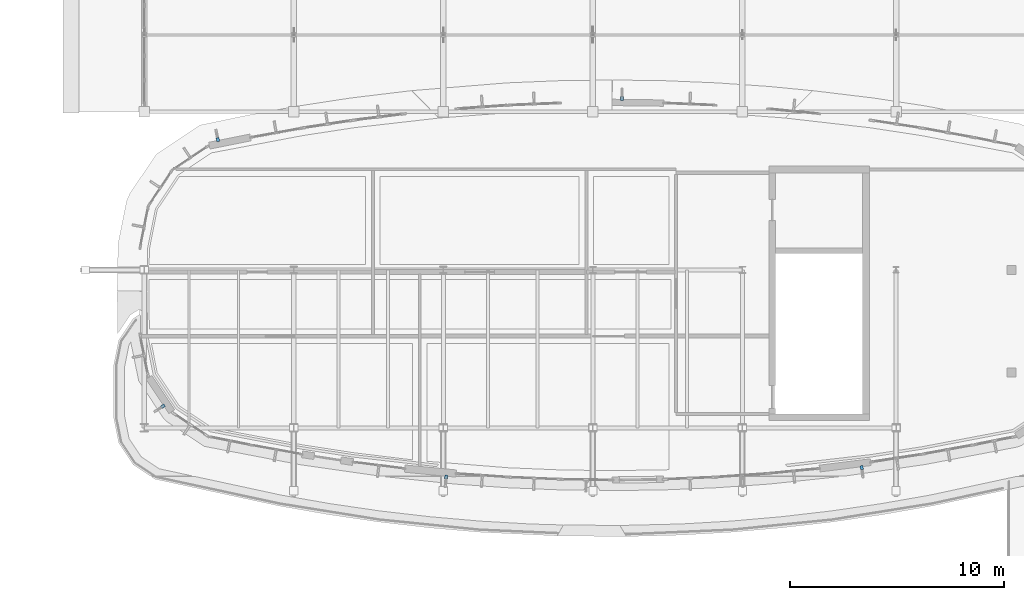
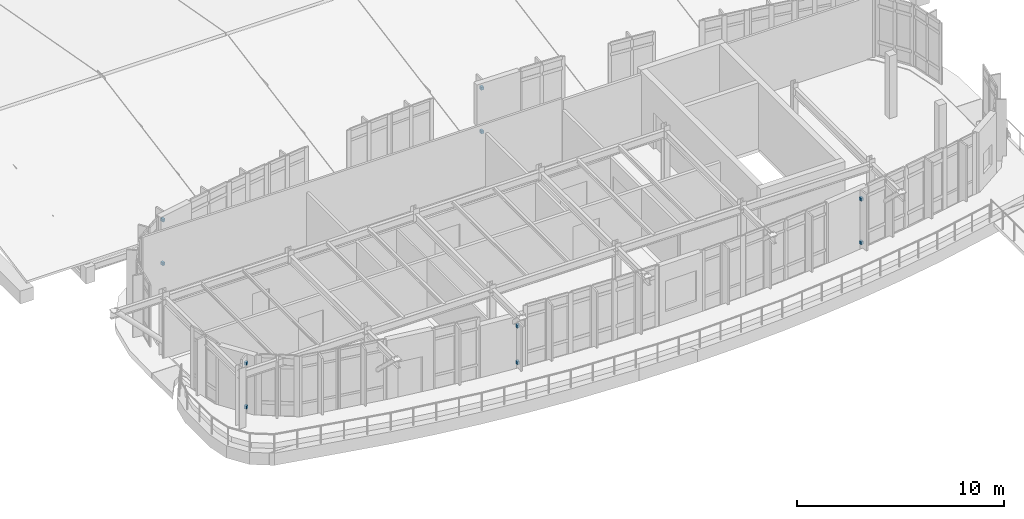
# One storey, part 89 of 105: 10 discrete accessories.
"""IFC4 building model written with IfcOpenShell, lengths in metres."""

from ifc_helpers import new_model, si_unit, direction, frame, origin, origin_2d, place, context, subcontext, project, spatial, rectangle, extrude, material, type_object, element, save


model = new_model("IFC4")

# Units and contexts
model_context = context("Model", 3, precision=1e-05, world=origin(), true_north=direction((0.0, 1.0)))
body_context = subcontext(model_context, "Body", "Model", "MODEL_VIEW")
ifc_project = project(units=[si_unit("LENGTHUNIT", "METRE"), si_unit("AREAUNIT", "SQUARE_METRE"), si_unit("VOLUMEUNIT", "CUBIC_METRE"), si_unit("PLANEANGLEUNIT", "RADIAN"), si_unit("MASSUNIT", "GRAM", prefix="KILO")], contexts=[model_context])

# Site, building, storey
site_placement = place(None, origin())
site = spatial("IfcSite", under=ifc_project, at=site_placement, CompositionType="ELEMENT")
building_placement = place(site_placement, origin())
building = spatial("IfcBuilding", under=site, at=building_placement, Name="Corveleigh Park Community Centre", CompositionType="ELEMENT")
storey_placement = place(building_placement, frame((0.0, 0.0, 8.699951171875)))
storey = spatial("IfcBuildingStorey", under=building, at=storey_placement, Name="L02", CompositionType="ELEMENT", Elevation=8.699951171875)

# Discrete accessories
ifc_material = material(Name="Stainless steel 316 balustrade", Category="steel")
discrete_accessory_type = type_object("IfcDiscreteAccessoryType", Name="ACC-BRK-STL", PredefinedType="BRACKET", material=ifc_material)
for number, where, z_axis, x_axis, name in (
    (1, (25.3359375, 75.697021484375, 0.5), (0.0, 0.0, 1.0), (-0.096138785108, -0.995367939004, 0.0), "Fin fixing bracket lower"),
    (2, (25.3359375, 75.697021484375, 2.6591796875), (0.0, 0.0, 1.0), (-0.096138785108, -0.995367939004, 0.0), "Fin fixing bracket upper"),
    (3, (44.7890625, 76.14306640625, 0.5), (0.0, 0.0, 1.0), (0.124289683694, -0.99224597481, 0.0), "Fin fixing bracket lower"),
    (4, (44.7890625, 76.14306640625, 3.080078125), (0.0, 0.0, 1.0), (0.124289683694, -0.99224597481, 0.0), "Fin fixing bracket upper"),
    (5, (33.56201171875, 93.424072265625, 0.5), (0.0, 0.0, 1.0), (0.013674643352, 0.999906497693, 0.0), "Fin fixing bracket lower"),
    (6, (33.56201171875, 93.424072265625, 3.080078125), (0.0, 0.0, 1.0), (0.013674643352, 0.999906497693, 0.0), "Fin fixing bracket upper"),
    (7, (14.64599609375, 91.498046875, 0.5), (0.0, 0.0, 1.0), (-0.194944453986, 0.980814284082, 0.0), "Fin fixing bracket lower"),
    (8, (14.64599609375, 91.498046875, 3.080078125), (0.0, 0.0, 1.0), (-0.194944453986, 0.980814284082, 0.0), "Fin fixing bracket upper"),
    (9, (12.076904296875, 79.01806640625, 0.5), (0.0, 0.0, 1.0), (-0.831811465407, -0.555058272633, 0.0), "Fin fixing bracket lower"),
    (10, (12.076904296875, 79.01806640625, 3.080078125), (0.0, 0.0, 1.0), (-0.831811465407, -0.555058272633, 0.0), "Fin fixing bracket upper"),
):
    element("IfcDiscreteAccessory", number, at=place(storey_placement, frame(where, z_axis=z_axis, x_axis=x_axis)), inside=storey, type_object=discrete_accessory_type, Name=name, PredefinedType="BRACKET", context=body_context, shape_type="SweptSolid", body=[
        extrude(rectangle(XDim=0.179931640625, YDim=0.139892578125, at=origin_2d()), origin(), (0.0, 0.0, 1.0), 0.169921875),
    ])

save(model, "model.ifc")
